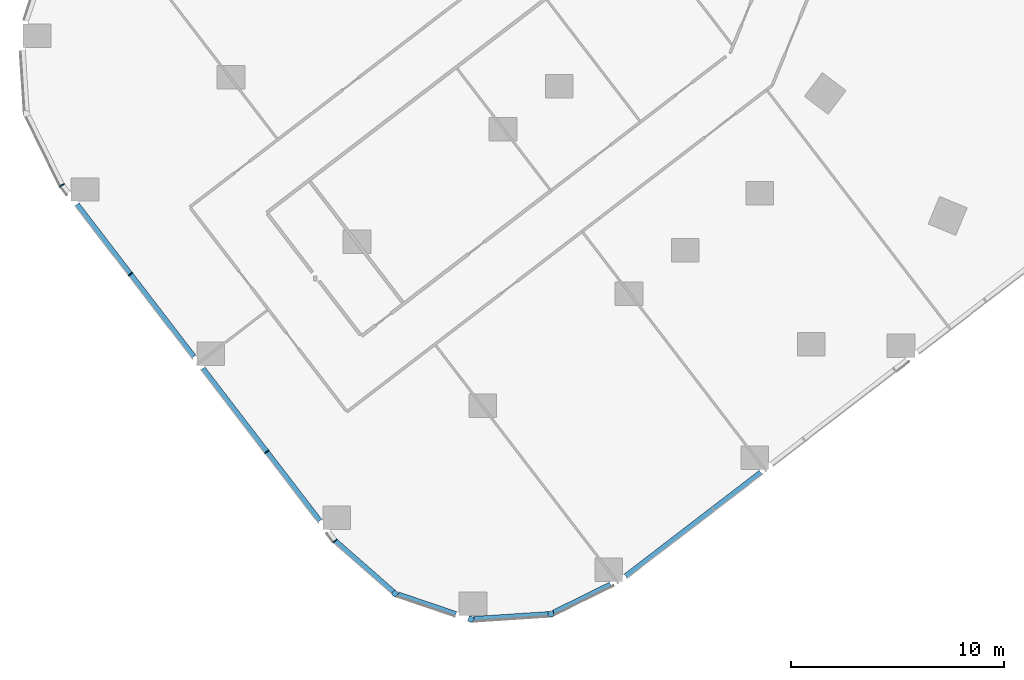
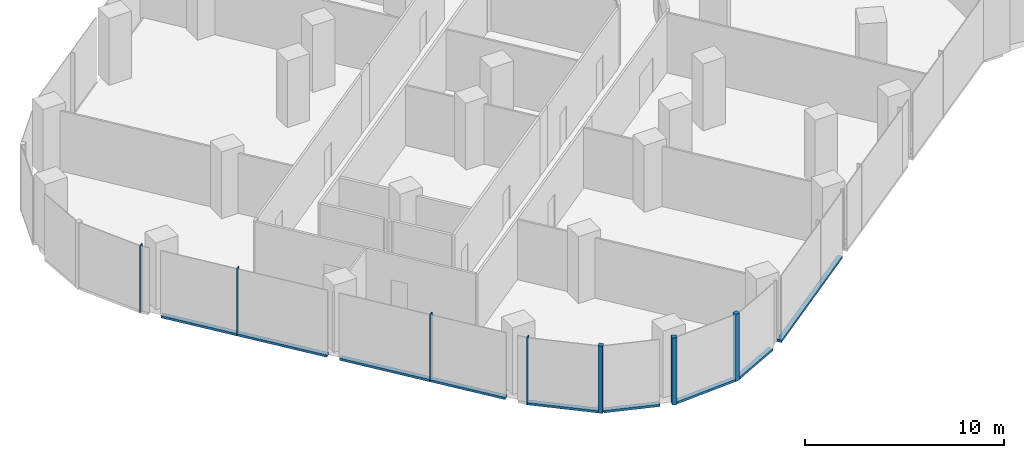
# One storey, part 2 of 29: 14 members, 7 elements without a shape of their own.
"""IFC4 building model written with IfcOpenShell, lengths in metres."""

from ifc_helpers import new_model, si_unit, direction, frame, origin, origin_2d, place, context, subcontext, project, spatial, rectangle, extrude, material, material_profile, profile_set, type_object, element, aggregate, save


model = new_model("IFC4")

# Units and contexts
model_context = context("Model", 3, precision=1e-05, world=origin(), true_north=direction((0.0, 1.0)))
body_context = subcontext(model_context, "Body", "Model", "MODEL_VIEW")
ifc_project = project(units=[si_unit("LENGTHUNIT", "METRE"), si_unit("AREAUNIT", "SQUARE_METRE"), si_unit("VOLUMEUNIT", "CUBIC_METRE"), si_unit("PLANEANGLEUNIT", "RADIAN"), si_unit("MASSUNIT", "GRAM", prefix="KILO")], contexts=[model_context])

# Site, building, storey
site_placement = place(None, origin())
site = spatial("IfcSite", under=ifc_project, at=site_placement, CompositionType="ELEMENT")
building_placement = place(site_placement, origin())
building = spatial("IfcBuilding", under=site, at=building_placement, Name="Orlundy Tower", CompositionType="ELEMENT")
storey_placement = place(building_placement, frame((0.0, 0.0, 25.10009765625)))
storey = spatial("IfcBuildingStorey", under=building, at=storey_placement, Name="L04", CompositionType="ELEMENT", Elevation=25.10009765625)

# Curtain wall, member
ifc_material_1 = material(Name="Aluminium bronze anodised", Category="aluminium")
curtain_wall_type = type_object("IfcCurtainWallType", Name="CW2 wall", PredefinedType="NOTDEFINED", material=ifc_material_1)
curtain_wall_1_placement = place(storey_placement, origin())
curtain_wall_1 = element("IfcCurtainWall", 1, at=curtain_wall_1_placement, inside=storey, type_object=curtain_wall_type, Name="CW2 run 04", PredefinedType="NOTDEFINED")
ifc_material_2 = material(Name="Aluminium bronze anodised", Category="aluminium")
ifc_material_profile_1 = material_profile(ifc_material_2, rectangle(XDim=0.25, YDim=0.25, at=origin_2d()), Name="CW2 corner post 250x250")
ifc_profile_set_1 = profile_set([ifc_material_profile_1], Name="Aluminium bronze anodised")
member_type_1 = type_object("IfcMemberType", Name="CW2 corner post 250x250", PredefinedType="MULLION", material=ifc_profile_set_1)
member_1_placement = place(storey_placement, frame((-30.783935546875, -48.068115234375, -0.420166015625), z_axis=(0.0, 0.0, 1.0), x_axis=(0.065283523877, -0.997866755389, 0.0)))
member_1 = element("IfcMember", 2, at=member_1_placement, type_object=member_type_1, Name="CW2 mullion 15", PredefinedType="MULLION", context=body_context, shape_type="SweptSolid", body=[
    extrude(rectangle(XDim=0.25, YDim=0.25, at=origin_2d()), origin(), (0.0, 0.0, 1.0), 4.1201171875),
])

curtain_wall_2_placement = place(storey_placement, origin())
curtain_wall_2 = element("IfcCurtainWall", 3, at=curtain_wall_2_placement, inside=storey, type_object=curtain_wall_type, Name="CW2 run 05", PredefinedType="NOTDEFINED")
member_2_placement = place(storey_placement, frame((-34.53271484375, -48.3134765625, -0.420166015625), z_axis=(0.0, 0.0, 1.0), x_axis=(-0.32132226688, -0.946969904911, 0.0)))
member_2 = element("IfcMember", 4, at=member_2_placement, type_object=member_type_1, Name="CW2 mullion 16", PredefinedType="MULLION", context=body_context, shape_type="SweptSolid", body=[
    extrude(rectangle(XDim=0.25, YDim=0.25, at=origin_2d()), origin(), (0.0, 0.0, 1.0), 4.1201171875),
])

curtain_wall_3_placement = place(storey_placement, origin())
curtain_wall_3 = element("IfcCurtainWall", 5, at=curtain_wall_3_placement, inside=storey, type_object=curtain_wall_type, Name="CW2 run 06", PredefinedType="NOTDEFINED")
member_3_placement = place(storey_placement, frame((-38.089599609375, -47.1064453125, -0.420166015625), z_axis=(0.0, 0.0, 1.0), x_axis=(-0.65932547196, -0.751857647447, 0.0)))
member_3 = element("IfcMember", 6, at=member_3_placement, type_object=member_type_1, Name="CW2 mullion 17", PredefinedType="MULLION", context=body_context, shape_type="SweptSolid", body=[
    extrude(rectangle(XDim=0.25, YDim=0.25, at=origin_2d()), origin(), (0.0, 0.0, 1.0), 4.1201171875),
])

# Curtain wall, members
curtain_wall_4_placement = place(storey_placement, origin())
curtain_wall_4 = element("IfcCurtainWall", 7, at=curtain_wall_4_placement, inside=storey, type_object=curtain_wall_type, Name="CW2 run 07", PredefinedType="NOTDEFINED")
ifc_material_3 = material(Name="Aluminium bronze anodised", Category="aluminium")
ifc_material_profile_2 = material_profile(ifc_material_3, rectangle(XDim=0.25, YDim=0.050048828125, at=origin_2d()), Name="CW2 mullion 50x250")
ifc_profile_set_2 = profile_set([ifc_material_profile_2], Name="Aluminium bronze anodised")
member_type_2 = type_object("IfcMemberType", Name="CW2 mullion 50x250", PredefinedType="MULLION", material=ifc_profile_set_2)
member_4_placement = place(storey_placement, frame((-40.90478515625, -44.637939453125, -0.420166015625), z_axis=(0.0, 0.0, 1.0), x_axis=(-0.72986044072, -0.683596179826, 0.0)))
member_4 = element("IfcMember", 8, at=member_4_placement, type_object=member_type_2, Name="CW2 mullion 18", PredefinedType="MULLION", context=body_context, shape_type="SweptSolid", body=[
    extrude(rectangle(XDim=0.25, YDim=0.050048828125, at=origin_2d()), origin(), (0.0, 0.0, 1.0), 4.1201171875),
])
member_5_placement = place(storey_placement, frame((-44.108154296875, -40.462890625, -0.420166015625), z_axis=(0.0, 0.0, 1.0), x_axis=(-0.793363342967, -0.608748393046, 0.0)))
member_5 = element("IfcMember", 9, at=member_5_placement, type_object=member_type_2, Name="CW2 mullion 19", PredefinedType="MULLION", context=body_context, shape_type="SweptSolid", body=[
    extrude(rectangle(XDim=0.25, YDim=0.050048828125, at=origin_2d()), origin(), (0.0, 0.0, 1.0), 4.1201171875),
])
member_6_placement = place(storey_placement, frame((-50.500244140625, -32.13232421875, -0.420166015625), z_axis=(0.0, 0.0, 1.0), x_axis=(-0.793363342967, -0.608748393046, 0.0)))
member_6 = element("IfcMember", 10, at=member_6_placement, type_object=member_type_2, Name="CW2 mullion 21", PredefinedType="MULLION", context=body_context, shape_type="SweptSolid", body=[
    extrude(rectangle(XDim=0.25, YDim=0.050048828125, at=origin_2d()), origin(), (0.0, 0.0, 1.0), 4.1201171875),
])

# Curtain wall, member
curtain_wall_5_placement = place(storey_placement, origin())
curtain_wall_5 = element("IfcCurtainWall", 11, at=curtain_wall_5_placement, inside=storey, type_object=curtain_wall_type, Name="CW2 run 08", PredefinedType="NOTDEFINED")
member_7_placement = place(storey_placement, frame((-53.70361328125, -27.957275390625, -0.420166015625), z_axis=(0.0, 0.0, 1.0), x_axis=(-0.849220282352, -0.528038741043, 0.0)))
member_7 = element("IfcMember", 12, at=member_7_placement, type_object=member_type_2, Name="CW2 mullion 22", PredefinedType="MULLION", context=body_context, shape_type="SweptSolid", body=[
    extrude(rectangle(XDim=0.25, YDim=0.050048828125, at=origin_2d()), origin(), (0.0, 0.0, 1.0), 4.1201171875),
])
aggregate(curtain_wall_5, [member_7])

curtain_wall_6_placement = place(storey_placement, origin())
curtain_wall_6 = element("IfcCurtainWall", 13, at=curtain_wall_6_placement, inside=storey, type_object=curtain_wall_type, Name="CW2 run 02", PredefinedType="NOTDEFINED")
ifc_material_4 = material(Name="Aluminium bronze anodised", Category="aluminium")
ifc_material_profile_3 = material_profile(ifc_material_4, rectangle(XDim=0.25, YDim=0.14990234375, at=origin_2d()), Name="CW2 transom 250x150")
ifc_profile_set_3 = profile_set([ifc_material_profile_3], Name="Aluminium bronze anodised")
member_type_3 = type_object("IfcMemberType", Name="CW2 transom 250x150", PredefinedType="USERDEFINED", material=ifc_profile_set_3)
member_8_placement = place(storey_placement, frame((-20.94140625, -41.43603515625, -0.34521484375), z_axis=(-0.793350219426, -0.608765496179, 0.0), x_axis=(0.608765496179, -0.793350219426, 0.0)))
member_8 = element("IfcMember", 14, at=member_8_placement, type_object=member_type_3, Name="CW2 transom", ObjectType="TRANSOM", PredefinedType="USERDEFINED", context=body_context, shape_type="SweptSolid", body=[
    extrude(rectangle(XDim=0.25, YDim=0.14990234375, at=origin_2d()), origin(), (0.0, 0.0, 1.0), 7.9794921875),
])
aggregate(curtain_wall_6, [member_8])

curtain_wall_7_placement = place(storey_placement, origin())
curtain_wall_7 = element("IfcCurtainWall", 15, at=curtain_wall_7_placement, inside=storey, type_object=curtain_wall_type, Name="CW2 run 03", PredefinedType="NOTDEFINED")
member_9_placement = place(storey_placement, frame((-27.98583984375, -46.68798828125, -0.34521484375), z_axis=(-0.896835308619, -0.442364588563, 0.0), x_axis=(0.442364588563, -0.896835308619, 0.0)))
member_9 = element("IfcMember", 16, at=member_9_placement, type_object=member_type_3, Name="CW2 transom", ObjectType="TRANSOM", PredefinedType="USERDEFINED", context=body_context, shape_type="SweptSolid", body=[
    extrude(rectangle(XDim=0.25, YDim=0.14990234375, at=origin_2d()), origin(), (0.0, 0.0, 1.0), 2.984619140625),
])
aggregate(curtain_wall_7, [member_9])

# Member
member_10_placement = place(storey_placement, frame((-30.90869140625, -48.076171875, -0.34521484375), z_axis=(-0.997866579537, -0.065286211732, 0.0), x_axis=(0.065286211732, -0.997866579537, 0.0)))
member_10 = element("IfcMember", 17, at=member_10_placement, type_object=member_type_3, Name="CW2 transom", ObjectType="TRANSOM", PredefinedType="USERDEFINED", context=body_context, shape_type="SweptSolid", body=[
    extrude(rectangle(XDim=0.25, YDim=0.14990234375, at=origin_2d()), origin(), (0.0, 0.0, 1.0), 3.49658203125),
])

aggregate(curtain_wall_1, [member_1, member_10])

member_11_placement = place(storey_placement, frame((-35.237060546875, -48.074462890625, -0.34521484375), z_axis=(-0.946963946424, 0.321339826622, 0.0), x_axis=(-0.321339826622, -0.946963946424, 0.0)))
member_11 = element("IfcMember", 18, at=member_11_placement, type_object=member_type_3, Name="CW2 transom", ObjectType="TRANSOM", PredefinedType="USERDEFINED", context=body_context, shape_type="SweptSolid", body=[
    extrude(rectangle(XDim=0.25, YDim=0.14990234375, at=origin_2d()), origin(), (0.0, 0.0, 1.0), 2.877197265625),
])

aggregate(curtain_wall_2, [member_2, member_11])

member_12_placement = place(storey_placement, frame((-38.18359375, -47.02392578125, -0.34521484375), z_axis=(-0.751886126811, 0.659292994281, 0.0), x_axis=(-0.659292994281, -0.751886126811, 0.0)))
member_12 = element("IfcMember", 19, at=member_12_placement, type_object=member_type_3, Name="CW2 transom", ObjectType="TRANSOM", PredefinedType="USERDEFINED", context=body_context, shape_type="SweptSolid", body=[
    extrude(rectangle(XDim=0.25, YDim=0.14990234375, at=origin_2d()), origin(), (0.0, 0.0, 1.0), 3.59375),
])

aggregate(curtain_wall_3, [member_3, member_12])

member_13_placement = place(storey_placement, frame((-41.6240234375, -43.700439453125, -0.34521484375), z_axis=(-0.6087433929, 0.793367179559, 0.0), x_axis=(-0.793367179559, -0.6087433929, 0.0)))
member_13 = element("IfcMember", 20, at=member_13_placement, type_object=member_type_3, Name="CW2 transom", ObjectType="TRANSOM", PredefinedType="USERDEFINED", context=body_context, shape_type="SweptSolid", body=[
    extrude(rectangle(XDim=0.25, YDim=0.14990234375, at=origin_2d()), origin(), (0.0, 0.0, 1.0), 9.00537109375),
])

member_14_placement = place(storey_placement, frame((-47.529052734375, -36.004638671875, -0.34521484375), z_axis=(-0.608744573287, 0.793366273857, 0.0), x_axis=(-0.793366273857, -0.608744573287, 0.0)))
member_14 = element("IfcMember", 21, at=member_14_placement, type_object=member_type_3, Name="CW2 transom", ObjectType="TRANSOM", PredefinedType="USERDEFINED", context=body_context, shape_type="SweptSolid", body=[
    extrude(rectangle(XDim=0.25, YDim=0.14990234375, at=origin_2d()), origin(), (0.0, 0.0, 1.0), 9.004150390625),
])

aggregate(curtain_wall_4, [member_4, member_5, member_6, member_13, member_14])

save(model, "model.ifc")
